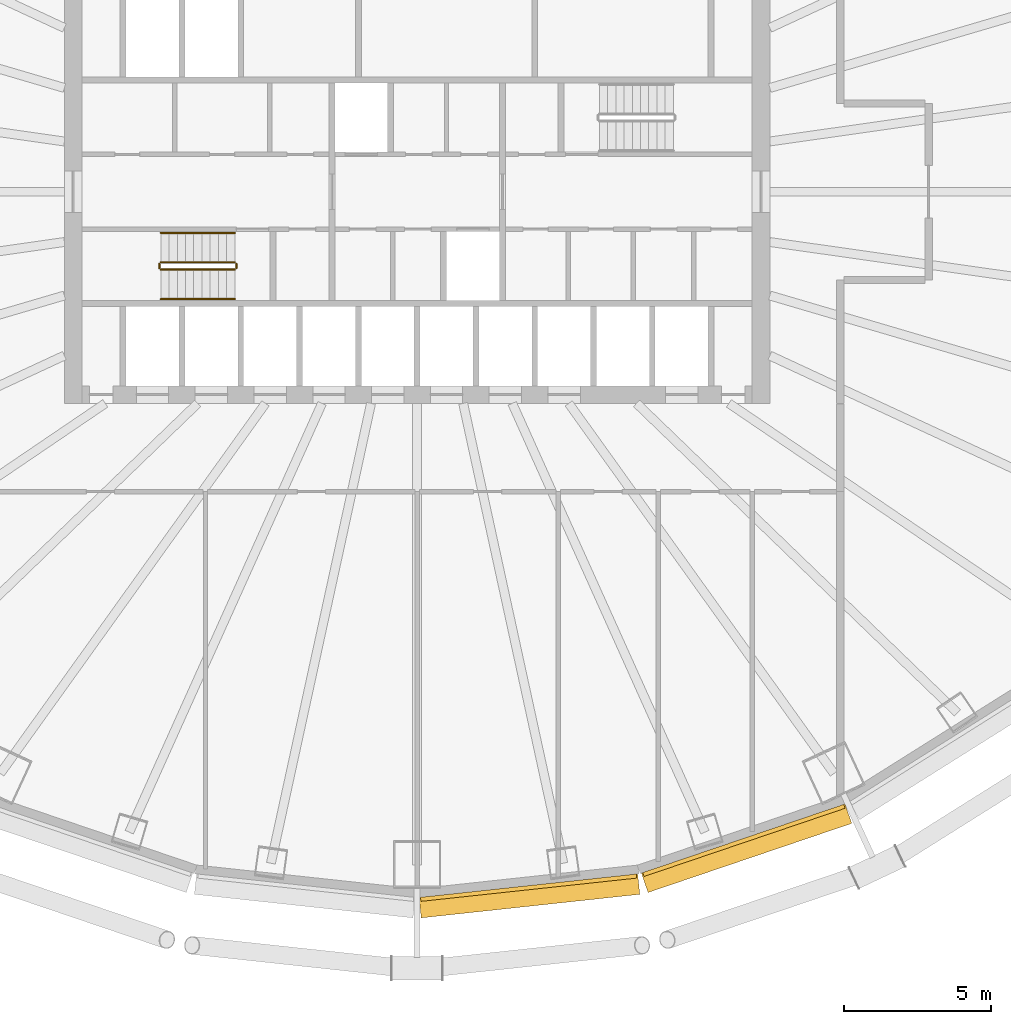
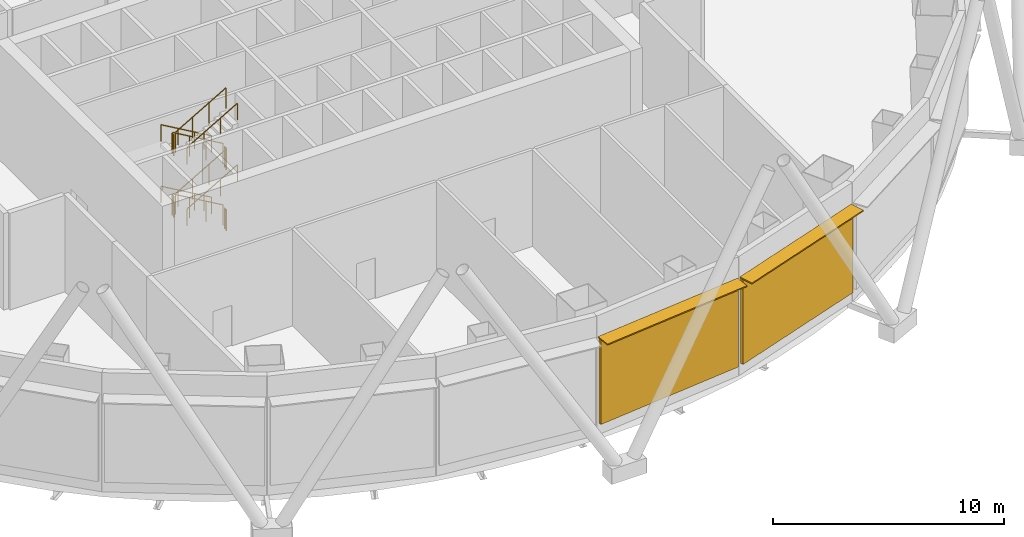
# One storey, part 11 of 13: 12 railings, 4 shading devices.
"""IFC4 building model written with IfcOpenShell, lengths in metres."""

from ifc_helpers import new_model, si_unit, direction, frame, origin, origin_2d, place, context, subcontext, project, spatial, rectangle, circle, extrude, material, layer, layer_set, type_object, element, save


model = new_model("IFC4")

# Units and contexts
model_context = context("Model", 3, precision=1e-05, world=origin(), true_north=direction((0.0, 1.0)))
body_context = subcontext(model_context, "Body", "Model", "MODEL_VIEW")
ifc_project = project(units=[si_unit("LENGTHUNIT", "METRE"), si_unit("AREAUNIT", "SQUARE_METRE"), si_unit("VOLUMEUNIT", "CUBIC_METRE"), si_unit("PLANEANGLEUNIT", "RADIAN"), si_unit("MASSUNIT", "GRAM", prefix="KILO")], contexts=[model_context])

# Site, building, storey
site_placement = place(None, origin())
site = spatial("IfcSite", under=ifc_project, at=site_placement, CompositionType="ELEMENT")
building_placement = place(site_placement, origin())
building = spatial("IfcBuilding", under=site, at=building_placement, Name="Siaravel Broadcast Tower", CompositionType="ELEMENT")
storey_placement = place(building_placement, frame((0.0, 0.0, 7.0)))
storey = spatial("IfcBuildingStorey", under=building, at=storey_placement, Name="L01", CompositionType="ELEMENT", Elevation=7.0)

# Shading devices
ifc_material_1 = material(Name="Bronze anodised aluminium", Category="aluminium")
ifc_layer_1 = layer(ifc_material_1, 0.06005859375)
ifc_layer_set_1 = layer_set([ifc_layer_1], Name="Bronze anodised aluminium")
shading_device_type_1 = type_object("IfcShadingDeviceType", Name="Brise-soleil band", PredefinedType="USERDEFINED", material=ifc_layer_set_1)
shading_device_1_placement = place(storey_placement, frame((3.8212890625, -23.95458984375, 5.1298828125), z_axis=(0.0, 0.0, 1.0), x_axis=(0.994235667, 0.107216783, 0.0)))
element("IfcShadingDevice", 1, at=shading_device_1_placement, inside=storey, type_object=shading_device_type_1, Name="L01 brise-soleil band 19", ObjectType="SUNSHADE", PredefinedType="USERDEFINED", context=body_context, shape_type="SweptSolid", body=[
    extrude(rectangle(XDim=7.4794921875, YDim=0.699951171875, at=origin_2d()), origin(), (0.0, 0.0, 1.0), 0.06005859375),
])
shading_device_2_placement = place(storey_placement, frame((11.20751953125, -22.333251953125, 5.1298828125), z_axis=(0.0, 0.0, 1.0), x_axis=(0.946977245, 0.321300635, 0.0)))
element("IfcShadingDevice", 2, at=shading_device_2_placement, inside=storey, type_object=shading_device_type_1, Name="L01 brise-soleil band 20", ObjectType="SUNSHADE", PredefinedType="USERDEFINED", context=body_context, shape_type="SweptSolid", body=[
    extrude(rectangle(XDim=7.316162109375, YDim=0.699951171875, at=origin_2d()), origin(), (0.0, 0.0, 1.0), 0.06005859375),
])
ifc_material_2 = material(Name="Precast concrete C40/50", Category="concrete")
ifc_layer_2 = layer(ifc_material_2, 0.139892578125)
ifc_layer_set_2 = layer_set([ifc_layer_2], Name="Precast concrete C40/50")
shading_device_type_2 = type_object("IfcShadingDeviceType", Name="Cobogo screen", PredefinedType="USERDEFINED", material=ifc_layer_set_2)
shading_device_3_placement = place(storey_placement, frame((3.791259765625, -23.676025390625, 0.60009765625), z_axis=(0.0, 0.0, 1.0), x_axis=(0.994235667, 0.107216783, 0.0)))
element("IfcShadingDevice", 3, at=shading_device_3_placement, inside=storey, type_object=shading_device_type_2, Name="L01 cobogo screen 19", ObjectType="SCREEN", PredefinedType="USERDEFINED", context=body_context, shape_type="SweptSolid", body=[
    extrude(rectangle(XDim=7.379638671875, YDim=0.139892578125, at=origin_2d()), origin(), (0.0, 0.0, 1.0), 4.5),
])
shading_device_4_placement = place(storey_placement, frame((11.117431640625, -22.068115234375, 0.60009765625), z_axis=(0.0, 0.0, 1.0), x_axis=(0.946977245, 0.321300635, 0.0)))
element("IfcShadingDevice", 4, at=shading_device_4_placement, inside=storey, type_object=shading_device_type_2, Name="L01 cobogo screen 20", ObjectType="SCREEN", PredefinedType="USERDEFINED", context=body_context, shape_type="SweptSolid", body=[
    extrude(rectangle(XDim=7.21630859375, YDim=0.139892578125, at=origin_2d()), origin(), (0.0, 0.0, 1.0), 4.5),
])

# Railings
ifc_material_3 = material(Name="Stainless steel 316L", Category="steel")
railing_type_1 = type_object("IfcRailingType", Name="Stair guard 1100", PredefinedType="GUARDRAIL", material=ifc_material_3)
railing_1_placement = place(storey_placement, frame((-6.199951171875, -2.39990234375, 0.16259765625)))
element("IfcRailing", 5, at=railing_1_placement, inside=storey, type_object=railing_type_1, Name="L01 ST-1 stair guard 1", PredefinedType="GUARDRAIL", context=body_context, shape_type="SweptSolid", body=[
    extrude(circle(Radius=0.02392578125, at=origin_2d()), frame((0.0, 0.0, 1.076171875), z_axis=(-0.864913338, 0.0, 0.501921226), x_axis=(0.0, -1.0, 0.0)), (0.0, 0.0, 1.0), 2.91357421875),
    extrude(circle(Radius=0.02099609375, at=origin_2d()), origin(), (0.0, 0.0, 1.0), 1.052001953125),
    extrude(circle(Radius=0.02099609375, at=origin_2d()), frame((-0.840087890625, 0.0, 0.487548828125)), (0.0, 0.0, 1.0), 1.052001953125),
    extrude(circle(Radius=0.02099609375, at=origin_2d()), frame((-1.679931640625, 0.0, 0.974853515625)), (0.0, 0.0, 1.0), 1.052001953125),
    extrude(circle(Radius=0.02099609375, at=origin_2d()), frame((-2.52001953125, 0.0, 1.46240234375)), (0.0, 0.0, 1.0), 1.052001953125),
])
railing_2_placement = place(storey_placement, frame((-8.77001953125, -2.449951171875, 1.625)))
element("IfcRailing", 6, at=railing_2_placement, inside=storey, type_object=railing_type_1, Name="L01 ST-1 stair guard 2", PredefinedType="GUARDRAIL", context=body_context, shape_type="SweptSolid", body=[
    extrude(circle(Radius=0.02392578125, at=origin_2d()), frame((0.0, 0.0, 1.076171875), z_axis=(0.0, -1.0, 0.0), x_axis=(1.0, 0.0, 0.0)), (0.0, 0.0, 1.0), 0.150146484375),
    extrude(circle(Radius=0.02099609375, at=origin_2d()), origin(), (0.0, 0.0, 1.0), 1.052001953125),
    extrude(circle(Radius=0.02099609375, at=origin_2d()), frame((0.0, -0.150146484375, 0.0)), (0.0, 0.0, 1.0), 1.052001953125),
])
railing_3_placement = place(storey_placement, frame((-8.719970703125, -2.64990234375, 1.78759765625)))
element("IfcRailing", 7, at=railing_3_placement, inside=storey, type_object=railing_type_1, Name="L01 ST-1 stair guard 3", PredefinedType="GUARDRAIL", context=body_context, shape_type="SweptSolid", body=[
    extrude(circle(Radius=0.02392578125, at=origin_2d()), frame((0.0, 0.0, 1.076171875), z_axis=(0.864913338, 0.0, 0.501921226), x_axis=(0.0, 1.0, 0.0)), (0.0, 0.0, 1.0), 2.91357421875),
    extrude(circle(Radius=0.02099609375, at=origin_2d()), origin(), (0.0, 0.0, 1.0), 1.052001953125),
    extrude(circle(Radius=0.02099609375, at=origin_2d()), frame((0.840087890625, 0.0, 0.487548828125)), (0.0, 0.0, 1.0), 1.052001953125),
    extrude(circle(Radius=0.02099609375, at=origin_2d()), frame((1.679931640625, 0.0, 0.974853515625)), (0.0, 0.0, 1.0), 1.052001953125),
    extrude(circle(Radius=0.02099609375, at=origin_2d()), frame((2.52001953125, 0.0, 1.46240234375)), (0.0, 0.0, 1.0), 1.052001953125),
])
railing_4_placement = place(storey_placement, frame((-6.14990234375, -2.449951171875, 3.25)))
element("IfcRailing", 8, at=railing_4_placement, inside=storey, type_object=railing_type_1, Name="L01 ST-1 stair guard 4", PredefinedType="GUARDRAIL", context=body_context, shape_type="SweptSolid", body=[
    extrude(circle(Radius=0.02392578125, at=origin_2d()), frame((0.0, 0.0, 1.076171875), z_axis=(0.0, -1.0, 0.0), x_axis=(1.0, 0.0, 0.0)), (0.0, 0.0, 1.0), 0.150146484375),
    extrude(circle(Radius=0.02099609375, at=origin_2d()), origin(), (0.0, 0.0, 1.0), 1.052001953125),
    extrude(circle(Radius=0.02099609375, at=origin_2d()), frame((0.0, -0.150146484375, 0.0)), (0.0, 0.0, 1.0), 1.052001953125),
])
railing_5_placement = place(storey_placement, frame((-6.199951171875, -2.39990234375, 3.41259765625)))
element("IfcRailing", 9, at=railing_5_placement, inside=storey, type_object=railing_type_1, Name="L01 ST-1 stair guard 5", PredefinedType="GUARDRAIL", context=body_context, shape_type="SweptSolid", body=[
    extrude(circle(Radius=0.02392578125, at=origin_2d()), frame((0.0, 0.0, 1.076171875), z_axis=(-0.864913338, 0.0, 0.501921226), x_axis=(0.0, -1.0, 0.0)), (0.0, 0.0, 1.0), 2.91357421875),
    extrude(circle(Radius=0.02099609375, at=origin_2d()), origin(), (0.0, 0.0, 1.0), 1.052001953125),
    extrude(circle(Radius=0.02099609375, at=origin_2d()), frame((-0.840087890625, 0.0, 0.487548828125)), (0.0, 0.0, 1.0), 1.052001953125),
    extrude(circle(Radius=0.02099609375, at=origin_2d()), frame((-1.679931640625, 0.0, 0.974853515625)), (0.0, 0.0, 1.0), 1.052001953125),
    extrude(circle(Radius=0.02099609375, at=origin_2d()), frame((-2.52001953125, 0.0, 1.46240234375)), (0.0, 0.0, 1.0), 1.052001953125),
])
railing_6_placement = place(storey_placement, frame((-8.77001953125, -2.449951171875, 4.875)))
element("IfcRailing", 10, at=railing_6_placement, inside=storey, type_object=railing_type_1, Name="L01 ST-1 stair guard 6", PredefinedType="GUARDRAIL", context=body_context, shape_type="SweptSolid", body=[
    extrude(circle(Radius=0.02392578125, at=origin_2d()), frame((0.0, 0.0, 1.076171875), z_axis=(0.0, -1.0, 0.0), x_axis=(1.0, 0.0, 0.0)), (0.0, 0.0, 1.0), 0.150146484375),
    extrude(circle(Radius=0.02099609375, at=origin_2d()), origin(), (0.0, 0.0, 1.0), 1.052001953125),
    extrude(circle(Radius=0.02099609375, at=origin_2d()), frame((0.0, -0.150146484375, 0.0)), (0.0, 0.0, 1.0), 1.052001953125),
])
railing_7_placement = place(storey_placement, frame((-8.719970703125, -2.64990234375, 5.03759765625)))
element("IfcRailing", 11, at=railing_7_placement, inside=storey, type_object=railing_type_1, Name="L01 ST-1 stair guard 7", PredefinedType="GUARDRAIL", context=body_context, shape_type="SweptSolid", body=[
    extrude(circle(Radius=0.02392578125, at=origin_2d()), frame((0.0, 0.0, 1.076171875), z_axis=(0.864913338, 0.0, 0.501921226), x_axis=(0.0, 1.0, 0.0)), (0.0, 0.0, 1.0), 2.91357421875),
    extrude(circle(Radius=0.02099609375, at=origin_2d()), origin(), (0.0, 0.0, 1.0), 1.052001953125),
    extrude(circle(Radius=0.02099609375, at=origin_2d()), frame((0.840087890625, 0.0, 0.487548828125)), (0.0, 0.0, 1.0), 1.052001953125),
    extrude(circle(Radius=0.02099609375, at=origin_2d()), frame((1.679931640625, 0.0, 0.974853515625)), (0.0, 0.0, 1.0), 1.052001953125),
    extrude(circle(Radius=0.02099609375, at=origin_2d()), frame((2.52001953125, 0.0, 1.46240234375)), (0.0, 0.0, 1.0), 1.052001953125),
])
railing_8_placement = place(storey_placement, frame((-6.14990234375, -2.449951171875, 0.0)))
element("IfcRailing", 12, at=railing_8_placement, inside=storey, type_object=railing_type_1, Name="L01 ST-1 stair guard 8", PredefinedType="GUARDRAIL", context=body_context, shape_type="SweptSolid", body=[
    extrude(circle(Radius=0.02392578125, at=origin_2d()), frame((0.0, 0.0, 1.076171875), z_axis=(0.0, -1.0, 0.0), x_axis=(1.0, 0.0, 0.0)), (0.0, 0.0, 1.0), 0.150146484375),
    extrude(circle(Radius=0.02099609375, at=origin_2d()), origin(), (0.0, 0.0, 1.0), 1.052001953125),
    extrude(circle(Radius=0.02099609375, at=origin_2d()), frame((0.0, -0.150146484375, 0.0)), (0.0, 0.0, 1.0), 1.052001953125),
])
railing_type_2 = type_object("IfcRailingType", Name="Stair handrail 900", PredefinedType="HANDRAIL", material=ifc_material_3)
railing_9_placement = place(storey_placement, frame((-6.199951171875, -1.39990234375, 0.16259765625)))
element("IfcRailing", 13, at=railing_9_placement, inside=storey, type_object=railing_type_2, Name="L01 ST-1 stair handrail 1", PredefinedType="HANDRAIL", context=body_context, shape_type="SweptSolid", body=[
    extrude(circle(Radius=0.02392578125, at=origin_2d()), frame((0.0, 0.0, 0.8759765625), z_axis=(-0.864913338, 0.0, 0.501921226), x_axis=(0.0, -1.0, 0.0)), (0.0, 0.0, 1.0), 2.91357421875),
    extrude(circle(Radius=0.02099609375, at=origin_2d()), origin(), (0.0, 0.0, 1.0), 0.851806640625),
    extrude(circle(Radius=0.02099609375, at=origin_2d()), frame((-0.840087890625, 0.0, 0.487548828125)), (0.0, 0.0, 1.0), 0.851806640625),
    extrude(circle(Radius=0.02099609375, at=origin_2d()), frame((-1.679931640625, 0.0, 0.974853515625)), (0.0, 0.0, 1.0), 0.851806640625),
    extrude(circle(Radius=0.02099609375, at=origin_2d()), frame((-2.52001953125, 0.0, 1.46240234375)), (0.0, 0.0, 1.0), 0.851806640625),
])
railing_10_placement = place(storey_placement, frame((-8.719970703125, -3.64990234375, 1.78759765625)))
element("IfcRailing", 14, at=railing_10_placement, inside=storey, type_object=railing_type_2, Name="L01 ST-1 stair handrail 2", PredefinedType="HANDRAIL", context=body_context, shape_type="SweptSolid", body=[
    extrude(circle(Radius=0.02392578125, at=origin_2d()), frame((0.0, 0.0, 0.8759765625), z_axis=(0.864913338, 0.0, 0.501921226), x_axis=(0.0, 1.0, 0.0)), (0.0, 0.0, 1.0), 2.91357421875),
    extrude(circle(Radius=0.02099609375, at=origin_2d()), origin(), (0.0, 0.0, 1.0), 0.851806640625),
    extrude(circle(Radius=0.02099609375, at=origin_2d()), frame((0.840087890625, 0.0, 0.487548828125)), (0.0, 0.0, 1.0), 0.851806640625),
    extrude(circle(Radius=0.02099609375, at=origin_2d()), frame((1.679931640625, 0.0, 0.974853515625)), (0.0, 0.0, 1.0), 0.851806640625),
    extrude(circle(Radius=0.02099609375, at=origin_2d()), frame((2.52001953125, 0.0, 1.46240234375)), (0.0, 0.0, 1.0), 0.851806640625),
])
railing_11_placement = place(storey_placement, frame((-6.199951171875, -1.39990234375, 3.41259765625)))
element("IfcRailing", 15, at=railing_11_placement, inside=storey, type_object=railing_type_2, Name="L01 ST-1 stair handrail 3", PredefinedType="HANDRAIL", context=body_context, shape_type="SweptSolid", body=[
    extrude(circle(Radius=0.02392578125, at=origin_2d()), frame((0.0, 0.0, 0.8759765625), z_axis=(-0.864913338, 0.0, 0.501921226), x_axis=(0.0, -1.0, 0.0)), (0.0, 0.0, 1.0), 2.91357421875),
    extrude(circle(Radius=0.02099609375, at=origin_2d()), origin(), (0.0, 0.0, 1.0), 0.851806640625),
    extrude(circle(Radius=0.02099609375, at=origin_2d()), frame((-0.840087890625, 0.0, 0.487548828125)), (0.0, 0.0, 1.0), 0.851806640625),
    extrude(circle(Radius=0.02099609375, at=origin_2d()), frame((-1.679931640625, 0.0, 0.974853515625)), (0.0, 0.0, 1.0), 0.851806640625),
    extrude(circle(Radius=0.02099609375, at=origin_2d()), frame((-2.52001953125, 0.0, 1.46240234375)), (0.0, 0.0, 1.0), 0.851806640625),
])
railing_12_placement = place(storey_placement, frame((-8.719970703125, -3.64990234375, 5.03759765625)))
element("IfcRailing", 16, at=railing_12_placement, inside=storey, type_object=railing_type_2, Name="L01 ST-1 stair handrail 4", PredefinedType="HANDRAIL", context=body_context, shape_type="SweptSolid", body=[
    extrude(circle(Radius=0.02392578125, at=origin_2d()), frame((0.0, 0.0, 0.8759765625), z_axis=(0.864913338, 0.0, 0.501921226), x_axis=(0.0, 1.0, 0.0)), (0.0, 0.0, 1.0), 2.91357421875),
    extrude(circle(Radius=0.02099609375, at=origin_2d()), origin(), (0.0, 0.0, 1.0), 0.851806640625),
    extrude(circle(Radius=0.02099609375, at=origin_2d()), frame((0.840087890625, 0.0, 0.487548828125)), (0.0, 0.0, 1.0), 0.851806640625),
    extrude(circle(Radius=0.02099609375, at=origin_2d()), frame((1.679931640625, 0.0, 0.974853515625)), (0.0, 0.0, 1.0), 0.851806640625),
    extrude(circle(Radius=0.02099609375, at=origin_2d()), frame((2.52001953125, 0.0, 1.46240234375)), (0.0, 0.0, 1.0), 0.851806640625),
])

save(model, "model.ifc")
